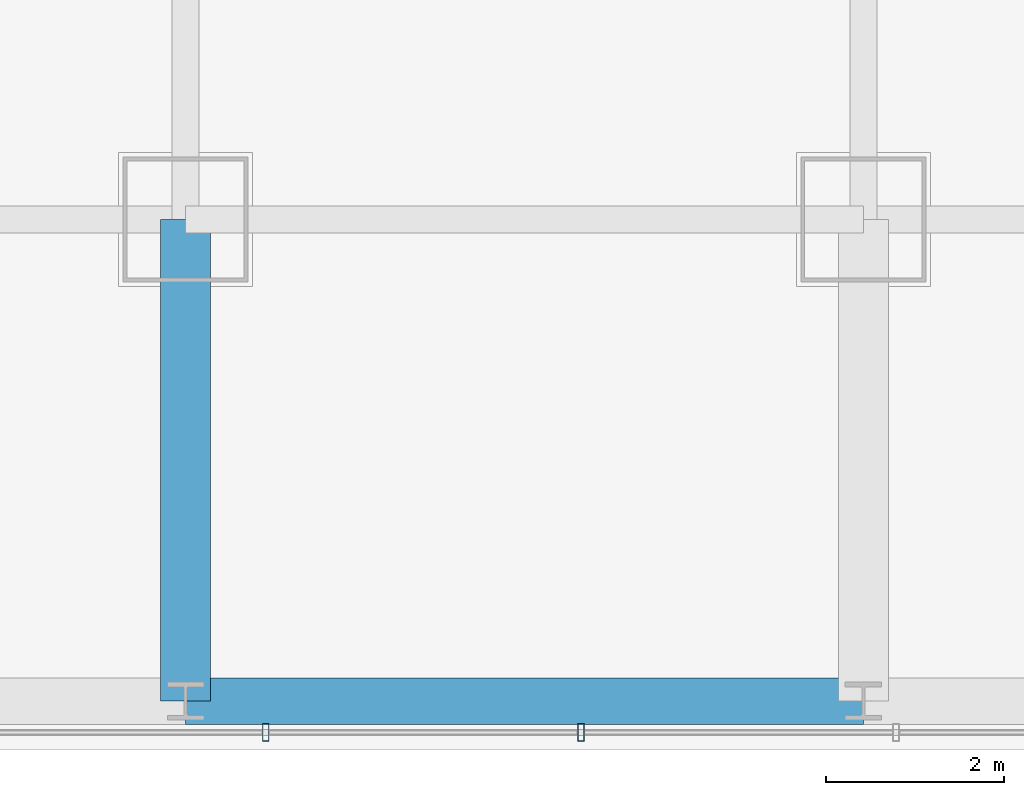
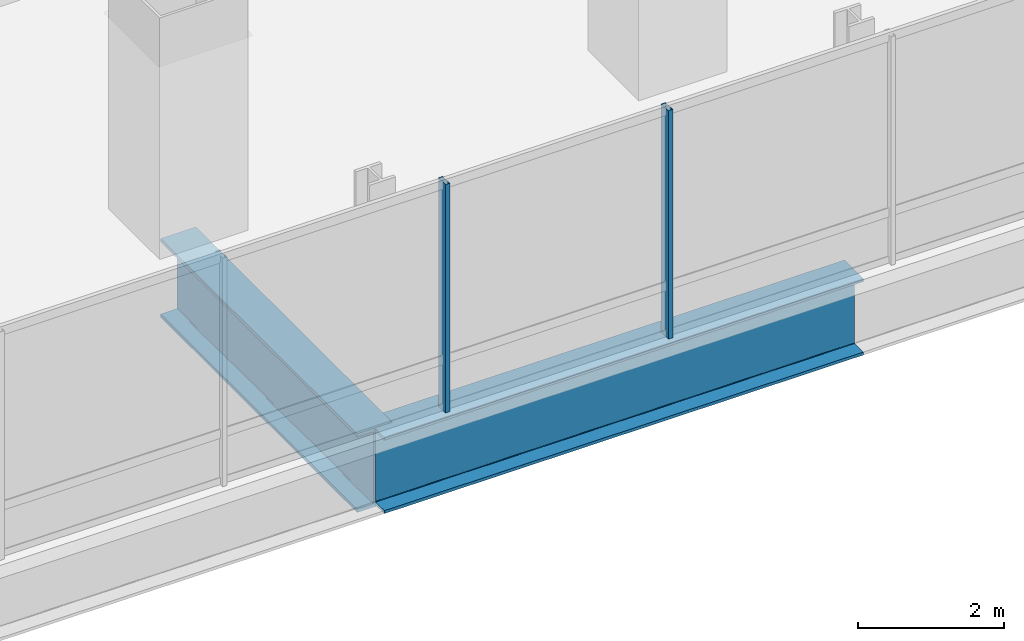
# One storey, part 5 of 36: 2 beams, 2 members, 1 element without a shape of its own.
"""IFC4 building model written with IfcOpenShell, lengths in metres."""

from ifc_helpers import new_model, si_unit, direction, frame, origin, origin_2d, place, context, subcontext, project, spatial, hollow_rectangle, i_section, extrude, material, material_profile, profile_set, type_object, element, aggregate, save


model = new_model("IFC4")

# Units and contexts
model_context = context("Model", 3, precision=1e-05, world=origin(), true_north=direction((0.0, 1.0)))
body_context = subcontext(model_context, "Body", "Model", "MODEL_VIEW")
ifc_project = project(units=[si_unit("LENGTHUNIT", "METRE"), si_unit("AREAUNIT", "SQUARE_METRE"), si_unit("VOLUMEUNIT", "CUBIC_METRE"), si_unit("PLANEANGLEUNIT", "RADIAN"), si_unit("MASSUNIT", "GRAM", prefix="KILO")], contexts=[model_context])

# Site, building, storey
site_placement = place(None, origin())
site = spatial("IfcSite", under=ifc_project, at=site_placement, CompositionType="ELEMENT")
building_placement = place(site_placement, origin())
building = spatial("IfcBuilding", under=site, at=building_placement, Name="Punatoya Terracotta Tower", CompositionType="ELEMENT")
storey_placement = place(building_placement, frame((0.0, 0.0, 212.699951171875)))
storey = spatial("IfcBuildingStorey", under=building, at=storey_placement, Name="L50", CompositionType="ELEMENT", Elevation=212.699951171875)

# Beams
ifc_material_1 = material(Name="Steel S460", Category="steel")
ifc_material_profile_1 = material_profile(ifc_material_1, i_section(OverallWidth=0.56005859375, OverallDepth=1.320068359375, WebThickness=0.035888671875, FlangeThickness=0.054931640625, FilletRadius=0.01806640625, at=origin_2d()))
ifc_profile_set_1 = profile_set([ifc_material_profile_1], Name="Steel S460")
beam_type_1 = type_object("IfcBeamType", Name="BM-TG-BLK", PredefinedType="BEAM", material=ifc_profile_set_1)
beam_1_placement = place(storey_placement, frame((-3.800048828125, -22.89990234375, -0.8798828125), z_axis=(0.0, 1.0, 0.0), x_axis=(-1.0, 0.0, 0.0)))
element("IfcBeam", 1, at=beam_1_placement, inside=storey, type_object=beam_type_1, Name="BM-L50-CANT-S2", PredefinedType="BEAM", context=body_context, shape_type="SweptSolid", body=[
    extrude(i_section(OverallWidth=0.56005859375, OverallDepth=1.320068359375, WebThickness=0.035888671875, FlangeThickness=0.054931640625, FilletRadius=0.01806640625, at=origin_2d()), origin(), (0.0, 0.0, 1.0), 5.39990234375),
])
ifc_material_profile_2 = material_profile(ifc_material_1, i_section(OverallWidth=0.52001953125, OverallDepth=1.280029296875, WebThickness=0.031982421875, FlangeThickness=0.050048828125, FilletRadius=0.01806640625, at=origin_2d()))
ifc_profile_set_2 = profile_set([ifc_material_profile_2], Name="Steel S460")
beam_type_2 = type_object("IfcBeamType", Name="BM-TG-NCK", PredefinedType="BEAM", material=ifc_profile_set_2)
beam_2_placement = place(storey_placement, frame((-3.800048828125, -22.89990234375, -0.85986328125), z_axis=(1.0, 0.0, 0.0), x_axis=(0.0, 1.0, 0.0)))
element("IfcBeam", 2, at=beam_2_placement, inside=storey, type_object=beam_type_2, Name="BM-L50-PER-S2", PredefinedType="BEAM", context=body_context, shape_type="SweptSolid", body=[
    extrude(i_section(OverallWidth=0.52001953125, OverallDepth=1.280029296875, WebThickness=0.031982421875, FlangeThickness=0.050048828125, FilletRadius=0.01806640625, at=origin_2d()), origin(), (0.0, 0.0, 1.0), 7.60009765625),
])

# Curtain wall, members
ifc_material_2 = material(Name="Aluminium 6063-T6 + Double Low-E Glass", Category="aluminium")
curtain_wall_type = type_object("IfcCurtainWallType", Name="CW-M2", PredefinedType="NOTDEFINED", material=ifc_material_2)
curtain_wall_placement = place(storey_placement, origin())
curtain_wall = element("IfcCurtainWall", 3, at=curtain_wall_placement, inside=storey, type_object=curtain_wall_type, Name="L50 Curtain Wall CW-L50-S01-1", PredefinedType="NOTDEFINED")
ifc_material_3 = material(Name="Aluminium 6063-T6", Category="aluminium")
ifc_material_profile_3 = material_profile(ifc_material_3, hollow_rectangle(XDim=0.072021484375, YDim=0.195068359375, WallThickness=0.00439453125, at=origin_2d()))
ifc_profile_set_3 = profile_set([ifc_material_profile_3], Name="Aluminium 6063-T6")
member_type = type_object("IfcMemberType", Name="CW-MUL-M2", PredefinedType="MULLION", material=ifc_profile_set_3)
member_1_placement = place(storey_placement, frame((-2.90087890625, -23.25, 0.0), z_axis=(0.0, 0.0, 1.0), x_axis=(1.0, 0.0, 0.0)))
member_1 = element("IfcMember", 4, at=member_1_placement, type_object=member_type, Name="CW-L50-S01-1 Mullion 04", PredefinedType="MULLION", context=body_context, shape_type="SweptSolid", body=[
    extrude(hollow_rectangle(XDim=0.072021484375, YDim=0.195068359375, WallThickness=0.00439453125, at=origin_2d()), origin(), (0.0, 0.0, 1.0), 3.830078125),
])
member_2_placement = place(storey_placement, frame((0.633056640625, -23.25, 0.0), z_axis=(0.0, 0.0, 1.0), x_axis=(1.0, 0.0, 0.0)))
member_2 = element("IfcMember", 5, at=member_2_placement, type_object=member_type, Name="CW-L50-S01-1 Mullion 05", PredefinedType="MULLION", context=body_context, shape_type="SweptSolid", body=[
    extrude(hollow_rectangle(XDim=0.072021484375, YDim=0.195068359375, WallThickness=0.00439453125, at=origin_2d()), origin(), (0.0, 0.0, 1.0), 3.830078125),
])
aggregate(curtain_wall, [member_1, member_2])

save(model, "model.ifc")
